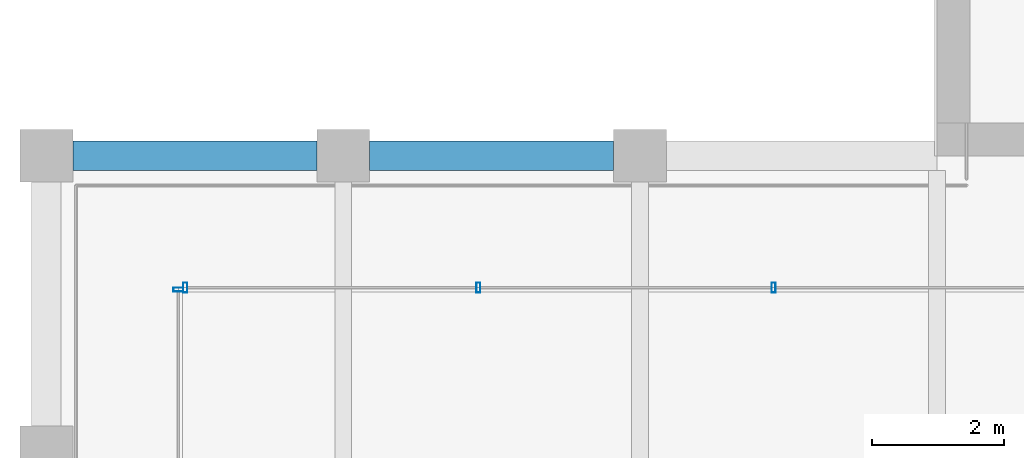
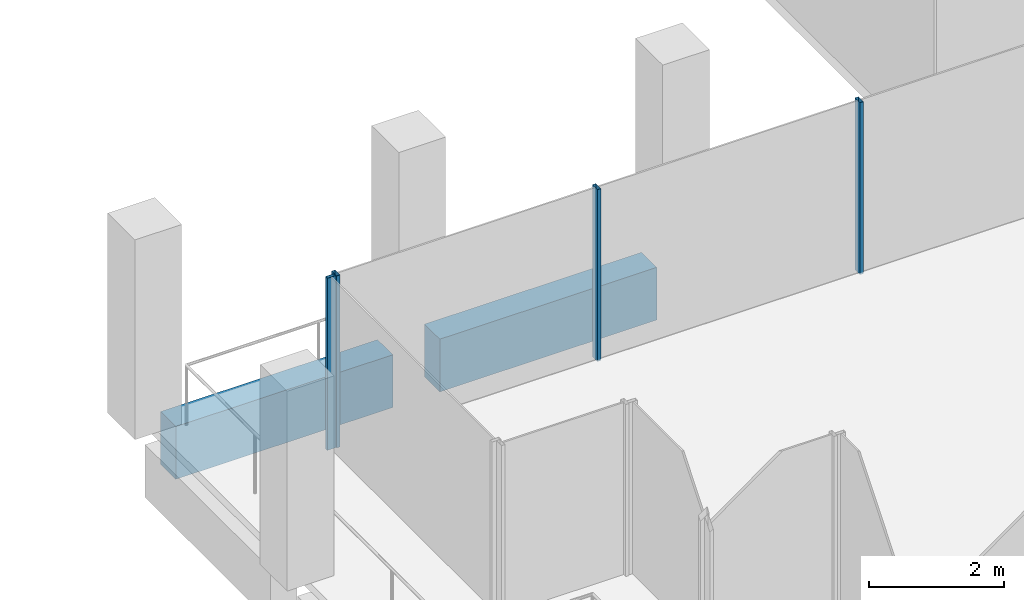
# One storey, part 7 of 62: 4 members, 2 beams, 2 elements without a shape of their own.
"""IFC4 building model written with IfcOpenShell, lengths in metres."""

from ifc_helpers import new_model, si_unit, direction, frame, origin, origin_2d, place, context, subcontext, project, spatial, rectangle, hollow_rectangle, extrude, material, material_profile, profile_set, type_object, element, aggregate, save


model = new_model("IFC4")

# Units and contexts
model_context = context("Model", 3, precision=1e-05, world=origin(), true_north=direction((0.0, 1.0)))
body_context = subcontext(model_context, "Body", "Model", "MODEL_VIEW")
ifc_project = project(units=[si_unit("LENGTHUNIT", "METRE"), si_unit("AREAUNIT", "SQUARE_METRE"), si_unit("VOLUMEUNIT", "CUBIC_METRE"), si_unit("PLANEANGLEUNIT", "RADIAN"), si_unit("MASSUNIT", "GRAM", prefix="KILO")], contexts=[model_context])

# Site, building, storey
site_placement = place(None, origin())
site = spatial("IfcSite", under=ifc_project, at=site_placement, CompositionType="ELEMENT")
building_placement = place(site_placement, origin())
building = spatial("IfcBuilding", under=site, at=building_placement, Name="Altepetl Exchange Towers", CompositionType="ELEMENT")
storey_placement = place(building_placement, frame((0.0, 0.0, 210.0)))
storey = spatial("IfcBuildingStorey", under=building, at=storey_placement, Name="L53", CompositionType="ELEMENT", Elevation=210.0)

# Curtain wall, members
ifc_material_1 = material(Name="Aluminium 6063-T6 glazing", Category="aluminium")
curtain_wall_type = type_object("IfcCurtainWallType", Name="Loggia glazing system", PredefinedType="NOTDEFINED", material=ifc_material_1)
curtain_wall_1_placement = place(storey_placement, origin())
curtain_wall_1 = element("IfcCurtainWall", 1, at=curtain_wall_1_placement, inside=storey, type_object=curtain_wall_type, Name="CW1 run", PredefinedType="NOTDEFINED")
ifc_material_2 = material(Name="Aluminium 6063-T6", Category="aluminium")
ifc_material_profile_1 = material_profile(ifc_material_2, hollow_rectangle(XDim=0.06005859375, YDim=0.14990234375, WallThickness=0.0029296875, at=origin_2d()), Name="Mullion 60x150 aluminium")
ifc_profile_set_1 = profile_set([ifc_material_profile_1], Name="Aluminium 6063-T6")
member_type = type_object("IfcMemberType", Name="Mullion 60x150 aluminium", PredefinedType="MULLION", material=ifc_profile_set_1)
member_1_placement = place(storey_placement, frame((38.02490234375, 38.5, 0.0), z_axis=(0.0, 0.0, 1.0), x_axis=(-1.0, 0.0, 0.0)))
member_1 = element("IfcMember", 2, at=member_1_placement, type_object=member_type, Name="MU1 mullion", PredefinedType="MULLION", context=body_context, shape_type="SweptSolid", body=[
    extrude(hollow_rectangle(XDim=0.06005859375, YDim=0.14990234375, WallThickness=0.0029296875, at=origin_2d()), origin(), (0.0, 0.0, 1.0), 3.10009765625),
])
member_2_placement = place(storey_placement, frame((33.550048828125, 38.5, 0.0), z_axis=(0.0, 0.0, 1.0), x_axis=(-1.0, 0.0, 0.0)))
member_2 = element("IfcMember", 3, at=member_2_placement, type_object=member_type, Name="MU1 mullion", PredefinedType="MULLION", context=body_context, shape_type="SweptSolid", body=[
    extrude(hollow_rectangle(XDim=0.06005859375, YDim=0.14990234375, WallThickness=0.0029296875, at=origin_2d()), origin(), (0.0, 0.0, 1.0), 3.10009765625),
])
member_3_placement = place(storey_placement, frame((29.10498046875, 38.5, 0.0), z_axis=(0.0, 0.0, 1.0), x_axis=(-1.0, 0.0, 0.0)))
member_3 = element("IfcMember", 4, at=member_3_placement, type_object=member_type, Name="MU1 mullion", PredefinedType="MULLION", context=body_context, shape_type="SweptSolid", body=[
    extrude(hollow_rectangle(XDim=0.06005859375, YDim=0.14990234375, WallThickness=0.0029296875, at=origin_2d()), origin(), (0.0, 0.0, 1.0), 3.10009765625),
])
aggregate(curtain_wall_1, [member_1, member_2, member_3])

# Curtain wall, member
curtain_wall_2_placement = place(storey_placement, origin())
curtain_wall_2 = element("IfcCurtainWall", 5, at=curtain_wall_2_placement, inside=storey, type_object=curtain_wall_type, Name="CW1 run", PredefinedType="NOTDEFINED")
member_4_placement = place(storey_placement, frame((29.0, 38.469970703125, 0.0), z_axis=(0.0, 0.0, 1.0), x_axis=(0.0, -1.0, 0.0)))
member_4 = element("IfcMember", 6, at=member_4_placement, type_object=member_type, Name="MU1 mullion", PredefinedType="MULLION", context=body_context, shape_type="SweptSolid", body=[
    extrude(hollow_rectangle(XDim=0.06005859375, YDim=0.14990234375, WallThickness=0.0029296875, at=origin_2d()), origin(), (0.0, 0.0, 1.0), 3.10009765625),
])
aggregate(curtain_wall_2, [member_4])

# Beams
ifc_material_3 = material(Name="Concrete C50/60 precast with tezontle facing", Category="concrete")
ifc_material_profile_2 = material_profile(ifc_material_3, rectangle(XDim=0.449951171875, YDim=0.949951171875, at=origin_2d()), Name="450 x 950")
ifc_profile_set_2 = profile_set([ifc_material_profile_2], Name="Concrete C50/60 precast with tezontle facing")
beam_type = type_object("IfcBeamType", Name="Spandrel beam 450x950 tezontle", PredefinedType="SPANDREL", material=ifc_profile_set_2)
for number, where, z_axis, x_axis, name in (
    (7, (35.60009765625, 40.5, -0.625), (-1.0, 0.0, 0.0), (0.0, -1.0, 0.0), "sp:A:L53:034"),
    (8, (31.10009765625, 40.5, -0.625), (-1.0, 0.0, 0.0), (0.0, -1.0, 0.0), "sp:A:L53:035"),
):
    element("IfcBeam", number, at=place(storey_placement, frame(where, z_axis=z_axis, x_axis=x_axis)), inside=storey, type_object=beam_type, Name=name, PredefinedType="SPANDREL", context=body_context, shape_type="SweptSolid", body=[
        extrude(rectangle(XDim=0.449951171875, YDim=0.949951171875, at=origin_2d()), origin(), (0.0, 0.0, 1.0), 3.7001953125),
    ])

save(model, "model.ifc")
